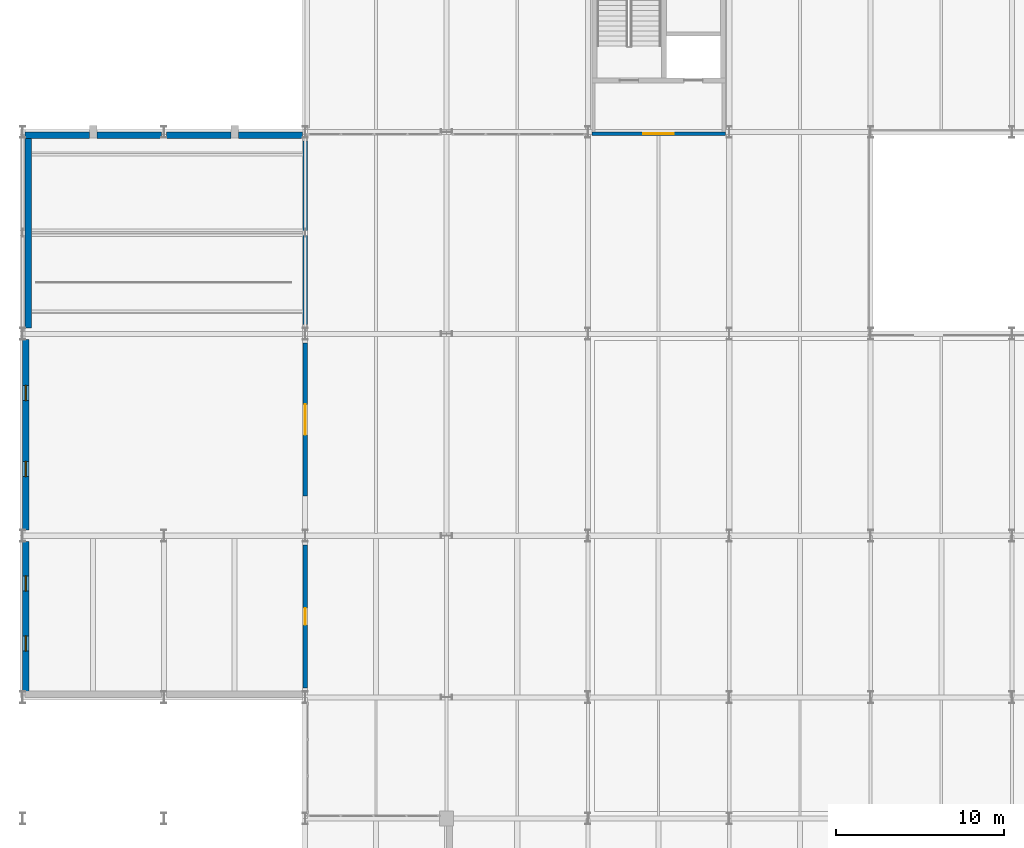
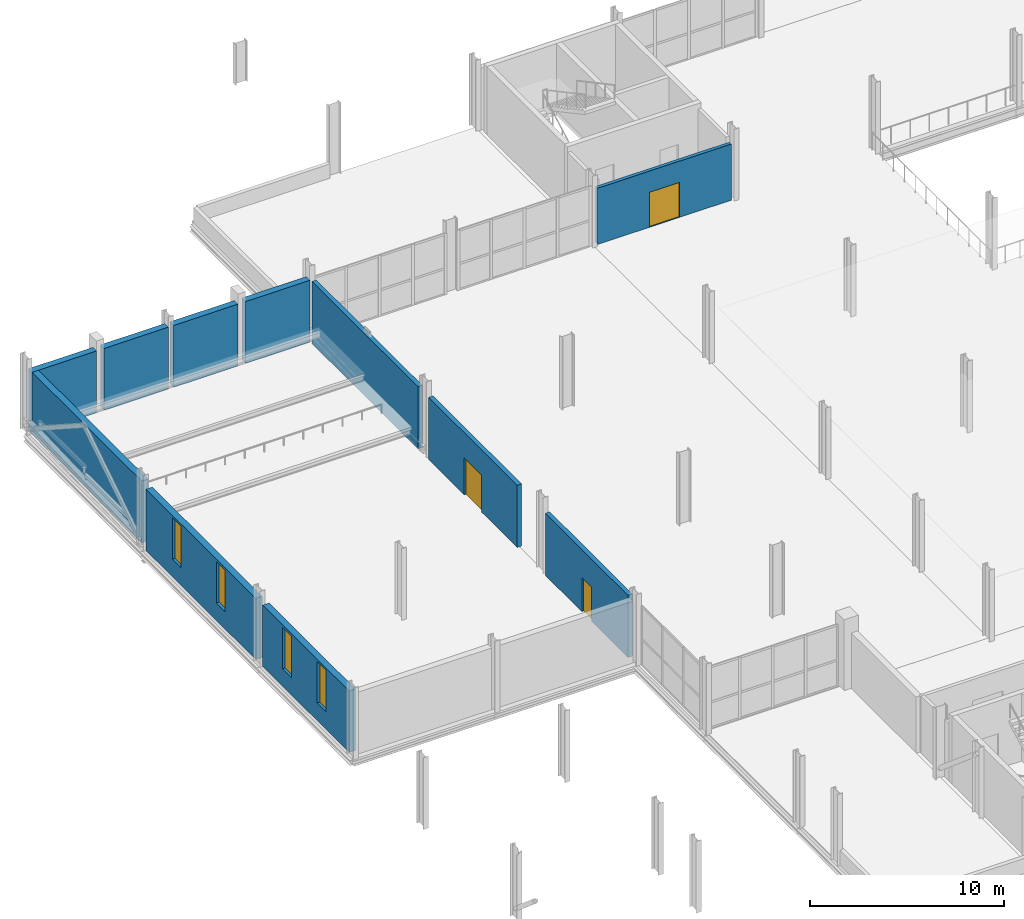
# One storey, part 99 of 113: 11 walls, 4 windows, 3 doors, 7 openings.
"""IFC4 building model written with IfcOpenShell, lengths in metres."""

from ifc_helpers import new_model, si_unit, direction, frame, frame_2d, origin, place, context, subcontext, project, spatial, rectangle, extrude, material, layer, layer_set, type_object, element, fill, save


model = new_model("IFC4")

# Units and contexts
model_context = context("Model", 3, precision=1e-05, world=origin(), true_north=direction((0.0, 1.0)))
body_context = subcontext(model_context, "Body", "Model", "MODEL_VIEW")
ifc_project = project(units=[si_unit("LENGTHUNIT", "METRE"), si_unit("AREAUNIT", "SQUARE_METRE"), si_unit("VOLUMEUNIT", "CUBIC_METRE"), si_unit("PLANEANGLEUNIT", "RADIAN"), si_unit("MASSUNIT", "GRAM", prefix="KILO")], contexts=[model_context])

# Site, building, storey
site_placement = place(None, origin())
site = spatial("IfcSite", under=ifc_project, at=site_placement, CompositionType="ELEMENT")
building_placement = place(site_placement, origin())
building = spatial("IfcBuilding", under=site, at=building_placement, Name="Veltarok Museum of Natural Sciences", CompositionType="ELEMENT")
storey_placement = place(building_placement, frame((0.0, 0.0, 8.39990234375)))
storey = spatial("IfcBuildingStorey", under=building, at=storey_placement, Name="L01", CompositionType="ELEMENT", Elevation=8.39990234375)

# Wall, openings, windows
ifc_material_1 = material(Name="Concrete C40/50", Category="concrete")
ifc_layer_1 = layer(ifc_material_1, 0.3798828125)
ifc_layer_set_1 = layer_set([ifc_layer_1], Name="Concrete C40/50")
wall_type_1 = type_object("IfcWallType", Name="Auditorium Acoustic Concrete Facade Wall 380", PredefinedType="SOLIDWALL", material=ifc_layer_set_1)
wall_1_placement = place(storey_placement, frame((6.590087890625, 35.64990234375, 0.0), z_axis=(0.0, 0.0, 1.0), x_axis=(0.0, -1.0, 0.0)))
wall_1 = element("IfcWall", 1, at=wall_1_placement, inside=storey, type_object=wall_type_1, Name="Auditorium West Acoustic Wall L01 D-E", PredefinedType="SOLIDWALL", context=body_context, shape_type="SweptSolid", body=[
    extrude(rectangle(XDim=8.89990234375, YDim=0.3798828125, at=frame_2d((4.449951171875, 0.0))), origin(), (0.0, 0.0, 1.0), 3.85009765625),
])
opening_1_placement = place(wall_1_placement, frame((2.0419921875, 0.0, 1.10009765625)))
opening_1 = element("IfcOpeningElement", 2, at=opening_1_placement, cuts=wall_1, Name="Opening W-L01-011", PredefinedType="OPENING", context=body_context, shape_type="SweptSolid", body=[
    extrude(rectangle(XDim=0.89990234375, YDim=2.60009765625, at=frame_2d((0.449951171875, 1.300048828125))), frame((0.0, 0.199951171875, 0.0), z_axis=(0.0, -1.0, 0.0), x_axis=(1.0, 0.0, 0.0)), (0.0, 0.0, 1.0), 0.39990234375),
])
opening_2_placement = place(wall_1_placement, frame((5.60205078125, 0.0, 1.10009765625)))
opening_2 = element("IfcOpeningElement", 3, at=opening_2_placement, cuts=wall_1, Name="Opening W-L01-012", PredefinedType="OPENING", context=body_context, shape_type="SweptSolid", body=[
    extrude(rectangle(XDim=0.89990234375, YDim=2.60009765625, at=frame_2d((0.449951171875, 1.300048828125))), frame((0.0, 0.199951171875, 0.0), z_axis=(0.0, -1.0, 0.0), x_axis=(1.0, 0.0, 0.0)), (0.0, 0.0, 1.0), 0.39990234375),
])
ifc_material_2 = material(Name="Low-iron triple insulated glass", Category="glass")
window_type = type_object("IfcWindowType", Name="Constructivist Slot Window 900x2600", PartitioningType="SINGLE_PANEL", PredefinedType="WINDOW", material=ifc_material_2)
window_1_placement = place(opening_1_placement, origin())
window_1 = element("IfcWindow", 4, at=window_1_placement, inside=storey, type_object=window_type, Name="Auditorium Slot Window L01 11", OverallHeight=2.60009765625, OverallWidth=0.89990234375, PartitioningType="SINGLE_PANEL", PredefinedType="WINDOW", context=body_context, shape_type="SweptSolid", body=[
    extrude(rectangle(XDim=0.89990234375, YDim=2.60009765625, at=frame_2d((0.449951171875, 1.300048828125))), frame((0.0, 0.030029296875, 0.0), z_axis=(0.0, -1.0, 0.0), x_axis=(1.0, 0.0, 0.0)), (0.0, 0.0, 1.0), 0.06005859375),
])
fill(opening_1, window_1)
window_2_placement = place(opening_2_placement, origin())
window_2 = element("IfcWindow", 5, at=window_2_placement, inside=storey, type_object=window_type, Name="Auditorium Slot Window L01 12", OverallHeight=2.60009765625, OverallWidth=0.89990234375, PartitioningType="SINGLE_PANEL", PredefinedType="WINDOW", context=body_context, shape_type="SweptSolid", body=[
    extrude(rectangle(XDim=0.89990234375, YDim=2.60009765625, at=frame_2d((0.449951171875, 1.300048828125))), frame((0.0, 0.030029296875, 0.0), z_axis=(0.0, -1.0, 0.0), x_axis=(1.0, 0.0, 0.0)), (0.0, 0.0, 1.0), 0.06005859375),
])
fill(opening_2, window_2)

wall_2_placement = place(storey_placement, frame((6.590087890625, 47.64990234375, 0.0), z_axis=(0.0, 0.0, 1.0), x_axis=(0.0, -1.0, 0.0)))
wall_2 = element("IfcWall", 6, at=wall_2_placement, inside=storey, type_object=wall_type_1, Name="Auditorium West Acoustic Wall L01 E-F", PredefinedType="SOLIDWALL", context=body_context, shape_type="SweptSolid", body=[
    extrude(rectangle(XDim=11.2998046875, YDim=0.3798828125, at=frame_2d((5.64990234375, 0.0))), origin(), (0.0, 0.0, 1.0), 3.85009765625),
])
opening_3_placement = place(wall_2_placement, frame((2.714111328125, 0.0, 1.10009765625)))
opening_3 = element("IfcOpeningElement", 7, at=opening_3_placement, cuts=wall_2, Name="Opening W-L01-013", PredefinedType="OPENING", context=body_context, shape_type="SweptSolid", body=[
    extrude(rectangle(XDim=0.89990234375, YDim=2.60009765625, at=frame_2d((0.449951171875, 1.300048828125))), frame((0.0, 0.199951171875, 0.0), z_axis=(0.0, -1.0, 0.0), x_axis=(1.0, 0.0, 0.0)), (0.0, 0.0, 1.0), 0.39990234375),
])
opening_4_placement = place(wall_2_placement, frame((7.23388671875, 0.0, 1.10009765625)))
opening_4 = element("IfcOpeningElement", 8, at=opening_4_placement, cuts=wall_2, Name="Opening W-L01-014", PredefinedType="OPENING", context=body_context, shape_type="SweptSolid", body=[
    extrude(rectangle(XDim=0.89990234375, YDim=2.60009765625, at=frame_2d((0.449951171875, 1.300048828125))), frame((0.0, 0.199951171875, 0.0), z_axis=(0.0, -1.0, 0.0), x_axis=(1.0, 0.0, 0.0)), (0.0, 0.0, 1.0), 0.39990234375),
])
window_3_placement = place(opening_3_placement, origin())
window_3 = element("IfcWindow", 9, at=window_3_placement, inside=storey, type_object=window_type, Name="Auditorium Slot Window L01 13", OverallHeight=2.60009765625, OverallWidth=0.89990234375, PartitioningType="SINGLE_PANEL", PredefinedType="WINDOW", context=body_context, shape_type="SweptSolid", body=[
    extrude(rectangle(XDim=0.89990234375, YDim=2.60009765625, at=frame_2d((0.449951171875, 1.300048828125))), frame((0.0, 0.030029296875, 0.0), z_axis=(0.0, -1.0, 0.0), x_axis=(1.0, 0.0, 0.0)), (0.0, 0.0, 1.0), 0.06005859375),
])
fill(opening_3, window_3)
window_4_placement = place(opening_4_placement, origin())
window_4 = element("IfcWindow", 10, at=window_4_placement, inside=storey, type_object=window_type, Name="Auditorium Slot Window L01 14", OverallHeight=2.60009765625, OverallWidth=0.89990234375, PartitioningType="SINGLE_PANEL", PredefinedType="WINDOW", context=body_context, shape_type="SweptSolid", body=[
    extrude(rectangle(XDim=0.89990234375, YDim=2.60009765625, at=frame_2d((0.449951171875, 1.300048828125))), frame((0.0, 0.030029296875, 0.0), z_axis=(0.0, -1.0, 0.0), x_axis=(1.0, 0.0, 0.0)), (0.0, 0.0, 1.0), 0.06005859375),
])
fill(opening_4, window_4)

# Walls
for number, where, z_axis, x_axis, name in (
    (11, (10.375, 59.81005859375, 0.0), (0.0, 0.0, 1.0), (-1.0, 0.0, 0.0), "Auditorium North Acoustic Wall L01 1A"),
    (12, (14.64990234375, 59.81005859375, 0.0), (0.0, 0.0, 1.0), (-1.0, 0.0, 0.0), "Auditorium North Acoustic Wall L01 1B"),
    (13, (18.77490234375, 59.81005859375, 0.0), (0.0, 0.0, 1.0), (-1.0, 0.0, 0.0), "Auditorium North Acoustic Wall L01 2A"),
    (14, (23.050048828125, 59.81005859375, 0.0), (0.0, 0.0, 1.0), (-1.0, 0.0, 0.0), "Auditorium North Acoustic Wall L01 2B"),
):
    element("IfcWall", number, at=place(storey_placement, frame(where, z_axis=z_axis, x_axis=x_axis)), inside=storey, type_object=wall_type_1, Name=name, PredefinedType="SOLIDWALL", context=body_context, shape_type="SweptSolid", body=[
        extrude(rectangle(XDim=3.824951171875, YDim=0.3798828125, at=frame_2d((1.91259765625, 0.0))), origin(), (0.0, 0.0, 1.0), 3.880126953125),
    ])
wall_3_placement = place(storey_placement, frame((6.739990234375, 59.64990234375, 0.0), z_axis=(0.0, 0.0, 1.0), x_axis=(0.0, -1.0, 0.0)))
element("IfcWall", 15, at=wall_3_placement, inside=storey, type_object=wall_type_1, Name="Auditorium West Braced Bay Backup Wall L01", PredefinedType="SOLIDWALL", context=body_context, shape_type="SweptSolid", body=[
    extrude(rectangle(XDim=11.2998046875, YDim=0.3798828125, at=frame_2d((5.64990234375, 0.0))), origin(), (0.0, 0.0, 1.0), 3.880126953125),
])
ifc_material_3 = material(Name="Acoustic gypsum and mineral wool")
ifc_layer_2 = layer(ifc_material_3, 0.260009765625)
ifc_layer_set_2 = layer_set([ifc_layer_2], Name="Acoustic gypsum and mineral wool")
wall_type_2 = type_object("IfcWallType", Name="Auditorium Double Acoustic Partition 260", PredefinedType="PARTITIONING", material=ifc_layer_set_2)
wall_4_placement = place(storey_placement, frame((23.199951171875, 48.550048828125, 0.0), z_axis=(0.0, 0.0, 1.0), x_axis=(0.0, 1.0, 0.0)))
element("IfcWall", 16, at=wall_4_placement, inside=storey, type_object=wall_type_2, Name="Auditorium Rear Acoustic Wall L01", PredefinedType="PARTITIONING", context=body_context, shape_type="SweptSolid", body=[
    extrude(rectangle(XDim=10.89990234375, YDim=0.260009765625, at=frame_2d((5.449951171875, 0.0))), origin(), (0.0, 0.0, 1.0), 3.902099609375),
])

# Wall, opening, door
wall_5_placement = place(storey_placement, frame((23.199951171875, 26.949951171875, 0.0), z_axis=(0.0, 0.0, 1.0), x_axis=(0.0, 1.0, 0.0)))
wall_5 = element("IfcWall", 17, at=wall_5_placement, inside=storey, type_object=wall_type_2, Name="Interior Partition L01-029", PredefinedType="PARTITIONING", context=body_context, shape_type="SweptSolid", body=[
    extrude(rectangle(XDim=8.5, YDim=0.260009765625, at=frame_2d((4.25, 0.0))), origin(), (0.0, 0.0, 1.0), 3.902099609375),
])
opening_5_placement = place(wall_5_placement, frame((3.75, 0.0, 0.0)))
opening_5 = element("IfcOpeningElement", 18, at=opening_5_placement, cuts=wall_5, Name="Opening D-L01-155", PredefinedType="OPENING", context=body_context, shape_type="SweptSolid", body=[
    extrude(rectangle(XDim=1.0, YDim=2.14990234375, at=frame_2d((0.5, 1.074951171875))), frame((0.0, 0.14013671875, 0.0), z_axis=(0.0, -1.0, 0.0), x_axis=(1.0, 0.0, 0.0)), (0.0, 0.0, 1.0), 0.280029296875),
])
ifc_material_4 = material(Name="Fire-rated painted steel", Category="steel")
door_type_1 = type_object("IfcDoorType", Name="Fire Compartment Single Door 1000x2150", OperationType="NOTDEFINED", PredefinedType="DOOR", material=ifc_material_4)
door_1_placement = place(opening_5_placement, origin())
door_1 = element("IfcDoor", 19, at=door_1_placement, inside=storey, type_object=door_type_1, Name="Interior Door D-L01-155", OperationType="SINGLE_SWING_RIGHT", OverallHeight=2.14990234375, OverallWidth=1.0, PredefinedType="DOOR", context=body_context, shape_type="SweptSolid", body=[
    extrude(rectangle(XDim=1.0, YDim=2.14990234375, at=frame_2d((0.5, 1.074951171875))), frame((0.0, 0.02490234375, 0.0), z_axis=(0.0, -1.0, 0.0), x_axis=(1.0, 0.0, 0.0)), (0.0, 0.0, 1.0), 0.050048828125),
])
fill(opening_5, door_1)

wall_6_placement = place(storey_placement, frame((23.199951171875, 38.35009765625, 0.0), z_axis=(0.0, 0.0, 1.0), x_axis=(0.0, 1.0, 0.0)))
wall_6 = element("IfcWall", 20, at=wall_6_placement, inside=storey, type_object=wall_type_2, Name="Interior Partition L01-030", PredefinedType="PARTITIONING", context=body_context, shape_type="SweptSolid", body=[
    extrude(rectangle(XDim=9.099853515625, YDim=0.260009765625, at=frame_2d((4.5498046875, 0.0))), origin(), (0.0, 0.0, 1.0), 3.902099609375),
])
opening_6_placement = place(wall_6_placement, frame((3.64990234375, 0.0, 0.0)))
opening_6 = element("IfcOpeningElement", 21, at=opening_6_placement, cuts=wall_6, Name="Opening D-L01-156", PredefinedType="OPENING", context=body_context, shape_type="SweptSolid", body=[
    extrude(rectangle(XDim=1.800048828125, YDim=2.300048828125, at=frame_2d((0.89990234375, 1.14990234375))), frame((0.0, 0.14013671875, 0.0), z_axis=(0.0, -1.0, 0.0), x_axis=(1.0, 0.0, 0.0)), (0.0, 0.0, 1.0), 0.280029296875),
])
ifc_material_5 = material(Name="Acoustic timber and steel core", Category="steel")
door_type_2 = type_object("IfcDoorType", Name="Auditorium Acoustic Double Door 1800x2300", OperationType="NOTDEFINED", PredefinedType="DOOR", material=ifc_material_5)
door_2_placement = place(opening_6_placement, origin())
door_2 = element("IfcDoor", 22, at=door_2_placement, inside=storey, type_object=door_type_2, Name="Interior Door D-L01-156", OperationType="DOUBLE_DOOR_SINGLE_SWING", OverallHeight=2.300048828125, OverallWidth=1.800048828125, PredefinedType="DOOR", context=body_context, shape_type="SweptSolid", body=[
    extrude(rectangle(XDim=1.800048828125, YDim=2.300048828125, at=frame_2d((0.89990234375, 1.14990234375))), frame((0.0, 0.02490234375, 0.0), z_axis=(0.0, -1.0, 0.0), x_axis=(1.0, 0.0, 0.0)), (0.0, 0.0, 1.0), 0.050048828125),
])
fill(opening_6, door_2)

ifc_material_6 = material(Name="Concrete C35/45", Category="concrete")
ifc_layer_3 = layer(ifc_material_6, 0.199951171875)
ifc_layer_set_3 = layer_set([ifc_layer_3], Name="Concrete C35/45")
wall_type_3 = type_object("IfcWallType", Name="Firefighting Lobby Compartment Wall 200", PredefinedType="SOLIDWALL", material=ifc_layer_set_3)
wall_7_placement = place(storey_placement, frame((48.169921875, 59.89990234375, 0.0), z_axis=(0.0, 0.0, 1.0), x_axis=(-1.0, 0.0, 0.0)))
wall_7 = element("IfcWall", 23, at=wall_7_placement, inside=storey, type_object=wall_type_3, Name="Firefighting Lobby Wall C3 L01 S", PredefinedType="SOLIDWALL", context=body_context, shape_type="SweptSolid", body=[
    extrude(rectangle(XDim=7.93994140625, YDim=0.199951171875, at=frame_2d((3.969970703125, 0.0))), origin(), (0.0, 0.0, 1.0), 3.531982421875),
])
opening_7_placement = place(wall_7_placement, frame((3.070068359375, 0.0, 0.0)))
opening_7 = element("IfcOpeningElement", 24, at=opening_7_placement, cuts=wall_7, Name="Opening D-L01-029", PredefinedType="OPENING", context=body_context, shape_type="SweptSolid", body=[
    extrude(rectangle(XDim=1.800048828125, YDim=2.199951171875, at=frame_2d((0.89990234375, 1.10009765625))), frame((0.0, 0.10986328125, 0.0), z_axis=(0.0, -1.0, 0.0), x_axis=(1.0, 0.0, 0.0)), (0.0, 0.0, 1.0), 0.219970703125),
])
ifc_material_7 = material(Name="Fire-rated steel and vision glass", Category="steel")
door_type_3 = type_object("IfcDoorType", Name="Fire Lobby Double Door 1800x2200", OperationType="NOTDEFINED", PredefinedType="DOOR", material=ifc_material_7)
door_3_placement = place(opening_7_placement, origin())
door_3 = element("IfcDoor", 25, at=door_3_placement, inside=storey, type_object=door_type_3, Name="Firefighting Lobby Entrance Door C3 L01", OperationType="DOUBLE_DOOR_SINGLE_SWING", OverallHeight=2.199951171875, OverallWidth=1.800048828125, PredefinedType="DOOR", context=body_context, shape_type="SweptSolid", body=[
    extrude(rectangle(XDim=1.800048828125, YDim=2.199951171875, at=frame_2d((0.89990234375, 1.10009765625))), frame((0.0, 0.02490234375, 0.0), z_axis=(0.0, -1.0, 0.0), x_axis=(1.0, 0.0, 0.0)), (0.0, 0.0, 1.0), 0.050048828125),
])
fill(opening_7, door_3)

save(model, "model.ifc")
